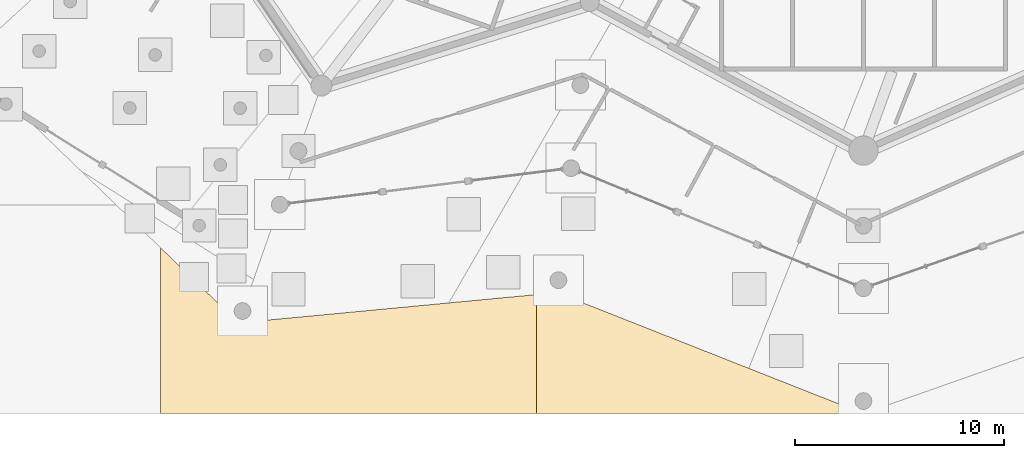
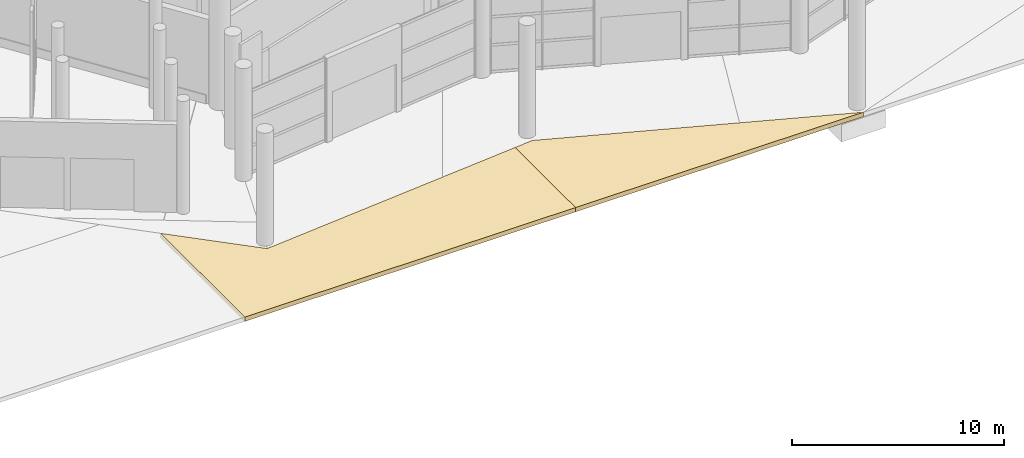
# One storey, part 189 of 255: 2 coverings.
"""IFC4 building model written with IfcOpenShell, lengths in metres."""

from ifc_helpers import new_model, si_unit, direction, frame, origin, place, context, subcontext, project, spatial, polyline, outline, extrude, material, layer, layer_set, type_object, element, save


model = new_model("IFC4")

# Units and contexts
model_context = context("Model", 3, precision=1e-05, world=origin(), true_north=direction((0.0, 1.0)))
body_context = subcontext(model_context, "Body", "Model", "MODEL_VIEW")
ifc_project = project(units=[si_unit("LENGTHUNIT", "METRE"), si_unit("AREAUNIT", "SQUARE_METRE"), si_unit("VOLUMEUNIT", "CUBIC_METRE"), si_unit("PLANEANGLEUNIT", "RADIAN"), si_unit("MASSUNIT", "GRAM", prefix="KILO")], contexts=[model_context])

# Site, building, storey
site_placement = place(None, origin())
site = spatial("IfcSite", under=ifc_project, at=site_placement, CompositionType="ELEMENT")
building_placement = place(site_placement, origin())
building = spatial("IfcBuilding", under=site, at=building_placement, Name="Meseta Stadium", CompositionType="ELEMENT")
storey_placement = place(building_placement, origin())
storey = spatial("IfcBuildingStorey", under=building, at=storey_placement, Name="L00", CompositionType="ELEMENT", Elevation=0.0)

# Coverings
ifc_material = material(Name="Guadarrama granite paving on bedding", Category="masonry")
ifc_layer = layer(ifc_material, 0.25)
ifc_layer_set = layer_set([ifc_layer], Name="Ground paving 250")
covering_type = type_object("IfcCoveringType", Name="Ground paving 250", PredefinedType="FLOORING", material=ifc_layer_set)
covering_1_placement = place(storey_placement, frame((0.0, 0.0, -0.25)))
element("IfcCovering", 1, at=covering_1_placement, inside=storey, type_object=covering_type, Name="Forecourt paving 06", PredefinedType="FLOORING", context=body_context, shape_type="SweptSolid", body=[
    extrude(outline(polyline([(-54.0, -118.0), (-38.333251953125, -118.0), (-53.009033203125, -112.206298828125), (-54.0, -112.30029296875), (-54.0, -118.0)])), origin(), (0.0, 0.0, 1.0), 0.25),
])
covering_2_placement = place(storey_placement, frame((0.0, 0.0, -0.25)))
element("IfcCovering", 2, at=covering_2_placement, inside=storey, type_object=covering_type, Name="Forecourt paving 08", PredefinedType="FLOORING", context=body_context, shape_type="SweptSolid", body=[
    extrude(outline(polyline([(-54.0, -112.30029296875), (-68.273193359375, -113.6533203125), (-72.0, -110.055908203125), (-72.0, -118.0), (-54.0, -118.0), (-54.0, -112.30029296875)])), origin(), (0.0, 0.0, 1.0), 0.25),
])

save(model, "model.ifc")
